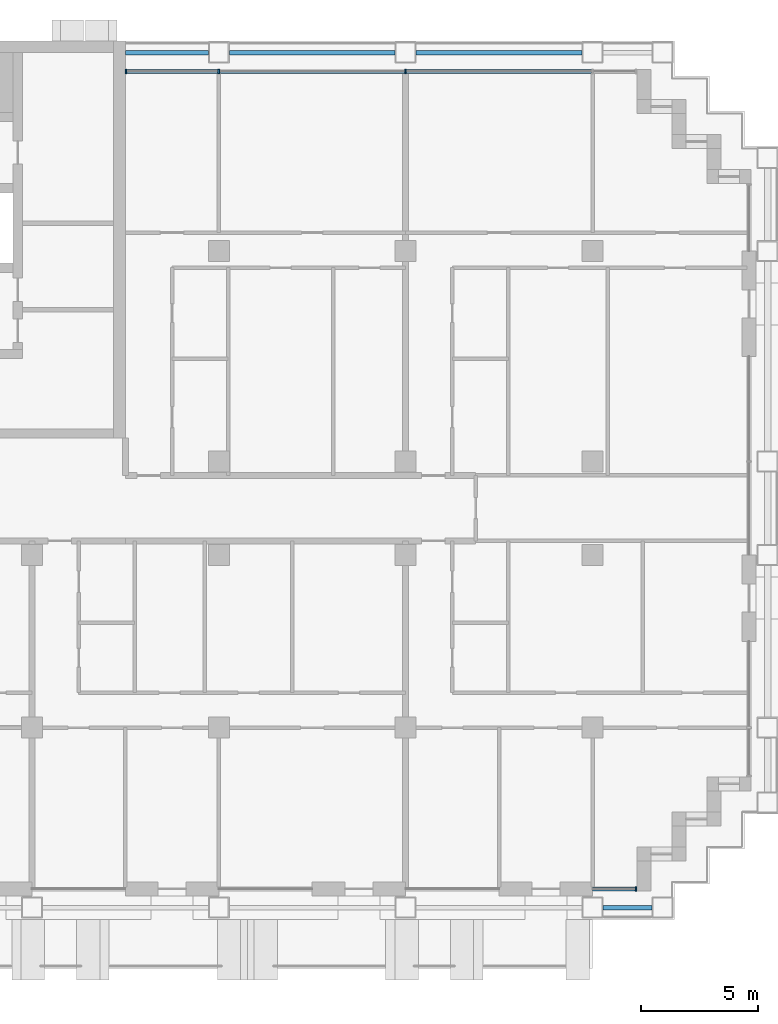
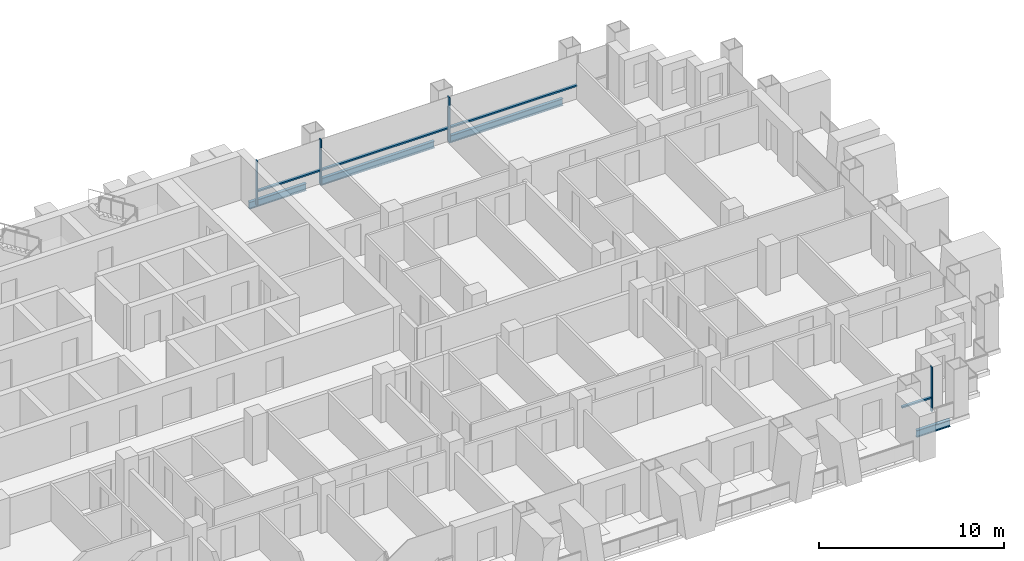
# One storey, part 5 of 18: 8 members, 4 beams, 2 elements without a shape of their own.
"""IFC4 building model written with IfcOpenShell, lengths in metres."""

from ifc_helpers import new_model, si_unit, direction, frame, origin, origin_2d, place, context, subcontext, project, spatial, rectangle, i_section, extrude, material, material_profile, profile_set, type_object, element, aggregate, save


model = new_model("IFC4")

# Units and contexts
model_context = context("Model", 3, precision=1e-05, world=origin(), true_north=direction((0.0, 1.0)))
body_context = subcontext(model_context, "Body", "Model", "MODEL_VIEW")
ifc_project = project(units=[si_unit("LENGTHUNIT", "METRE"), si_unit("AREAUNIT", "SQUARE_METRE"), si_unit("VOLUMEUNIT", "CUBIC_METRE"), si_unit("PLANEANGLEUNIT", "RADIAN"), si_unit("MASSUNIT", "GRAM", prefix="KILO")], contexts=[model_context])

# Site, building, storey
site_placement = place(None, origin())
site = spatial("IfcSite", under=ifc_project, at=site_placement, CompositionType="ELEMENT")
building_placement = place(site_placement, origin())
building = spatial("IfcBuilding", under=site, at=building_placement, Name="Vidyagriha Tower", CompositionType="ELEMENT")
storey_placement = place(building_placement, frame((0.0, 0.0, 80.699951171875)))
storey = spatial("IfcBuildingStorey", under=building, at=storey_placement, Name="L20", CompositionType="ELEMENT", Elevation=80.699951171875)

# Beams
ifc_material_1 = material(Name="Steel ASTM A992 Grade 50", Category="steel")
ifc_material_profile_1 = material_profile(ifc_material_1, i_section(OverallWidth=0.19189453125, OverallDepth=0.46240234375, WebThickness=0.010498046875, FlangeThickness=0.017578125, at=origin_2d()), Name="W18X60")
ifc_profile_set_1 = profile_set([ifc_material_profile_1], Name="Steel ASTM A992 Grade 50")
beam_type = type_object("IfcBeamType", Name="Edge beam W18X60", PredefinedType="SPANDREL", material=ifc_profile_set_1)
beam_1_placement = place(storey_placement, frame((34.449951171875, -17.10009765625, -0.510986328125), z_axis=(1.0, 0.0, 0.0), x_axis=(0.0, 1.0, 0.0)))
element("IfcBeam", 1, at=beam_1_placement, inside=storey, type_object=beam_type, Name="st-beam-L20-S09", PredefinedType="SPANDREL", context=body_context, shape_type="SweptSolid", body=[
    extrude(i_section(OverallWidth=0.19189453125, OverallDepth=0.46240234375, WebThickness=0.010498046875, FlangeThickness=0.017578125, at=origin_2d()), origin(), (0.0, 0.0, 1.0), 2.10009765625),
])
for number, where, z_axis, x_axis, name in (
    (2, (18.449951171875, 19.5, -0.510986328125), (1.0, 0.0, 0.0), (0.0, 1.0, 0.0), "st-beam-L20-NE21"),
    (3, (26.449951171875, 19.5, -0.510986328125), (1.0, 0.0, 0.0), (0.0, 1.0, 0.0), "st-beam-L20-NE22"),
):
    element("IfcBeam", number, at=place(storey_placement, frame(where, z_axis=z_axis, x_axis=x_axis)), inside=storey, type_object=beam_type, Name=name, PredefinedType="SPANDREL", context=body_context, shape_type="SweptSolid", body=[
        extrude(i_section(OverallWidth=0.19189453125, OverallDepth=0.46240234375, WebThickness=0.010498046875, FlangeThickness=0.017578125, at=origin_2d()), origin(), (0.0, 0.0, 1.0), 7.10009765625),
    ])
beam_2_placement = place(storey_placement, frame((14.0, 19.5, -0.510986328125), z_axis=(1.0, 0.0, 0.0), x_axis=(0.0, 1.0, 0.0)))
element("IfcBeam", 4, at=beam_2_placement, inside=storey, type_object=beam_type, Name="st-beam-L20-NC25", PredefinedType="SPANDREL", context=body_context, shape_type="SweptSolid", body=[
    extrude(i_section(OverallWidth=0.19189453125, OverallDepth=0.46240234375, WebThickness=0.010498046875, FlangeThickness=0.017578125, at=origin_2d()), origin(), (0.0, 0.0, 1.0), 3.550048828125),
])

# Curtain wall, members
ifc_material_2 = material(Name="Aluminium and glass curtain wall", Category="aluminium")
curtain_wall_type = type_object("IfcCurtainWallType", Name="Dwelling skin unitised curtain wall", PredefinedType="USERDEFINED", material=ifc_material_2)
curtain_wall_1_placement = place(storey_placement, origin())
curtain_wall_1 = element("IfcCurtainWall", 5, at=curtain_wall_1_placement, inside=storey, type_object=curtain_wall_type, Name="CW1 dwelling skin", ObjectType="UNITISED", PredefinedType="USERDEFINED")
ifc_material_3 = material(Name="Aluminium black anodised", Category="aluminium")
ifc_material_profile_2 = material_profile(ifc_material_3, rectangle(XDim=0.199951171875, YDim=0.070068359375, at=origin_2d()), Name="Mullion 70x200 black aluminium")
ifc_profile_set_2 = profile_set([ifc_material_profile_2], Name="Aluminium black anodised")
member_type_1 = type_object("IfcMemberType", Name="Mullion 70x200 black aluminium", PredefinedType="MULLION", material=ifc_profile_set_2)
member_1_placement = place(storey_placement, frame((26.0, 18.699951171875, 0.0), z_axis=(0.0, 0.0, 1.0), x_axis=(0.0, -1.0, 0.0)))
member_1 = element("IfcMember", 6, at=member_1_placement, type_object=member_type_1, Name="CW1 mullion 3", PredefinedType="MULLION", context=body_context, shape_type="SweptSolid", body=[
    extrude(rectangle(XDim=0.199951171875, YDim=0.070068359375, at=origin_2d()), origin(), (0.0, 0.0, 1.0), 2.920166015625),
])
member_2_placement = place(storey_placement, frame((18.0, 18.699951171875, 0.0), z_axis=(0.0, 0.0, 1.0), x_axis=(0.0, -1.0, 0.0)))
member_2 = element("IfcMember", 7, at=member_2_placement, type_object=member_type_1, Name="CW1 mullion 4", PredefinedType="MULLION", context=body_context, shape_type="SweptSolid", body=[
    extrude(rectangle(XDim=0.199951171875, YDim=0.070068359375, at=origin_2d()), origin(), (0.0, 0.0, 1.0), 2.920166015625),
])
member_3_placement = place(storey_placement, frame((14.034912109375, 18.699951171875, 0.0), z_axis=(0.0, 0.0, 1.0), x_axis=(0.0, -1.0, 0.0)))
member_3 = element("IfcMember", 8, at=member_3_placement, type_object=member_type_1, Name="CW1 mullion 5", PredefinedType="MULLION", context=body_context, shape_type="SweptSolid", body=[
    extrude(rectangle(XDim=0.199951171875, YDim=0.070068359375, at=origin_2d()), origin(), (0.0, 0.0, 1.0), 2.920166015625),
])

# Curtain wall, member
curtain_wall_2_placement = place(storey_placement, origin())
curtain_wall_2 = element("IfcCurtainWall", 9, at=curtain_wall_2_placement, inside=storey, type_object=curtain_wall_type, Name="CW1 dwelling skin", ObjectType="UNITISED", PredefinedType="USERDEFINED")
member_4_placement = place(storey_placement, frame((35.864990234375, -16.300048828125, 0.0), z_axis=(0.0, 0.0, 1.0), x_axis=(0.0, 1.0, 0.0)))
member_4 = element("IfcMember", 10, at=member_4_placement, type_object=member_type_1, Name="CW1 mullion 2", PredefinedType="MULLION", context=body_context, shape_type="SweptSolid", body=[
    extrude(rectangle(XDim=0.199951171875, YDim=0.070068359375, at=origin_2d()), origin(), (0.0, 0.0, 1.0), 2.920166015625),
])

# Member
ifc_material_4 = material(Name="Aluminium black anodised", Category="aluminium")
ifc_material_profile_3 = material_profile(ifc_material_4, rectangle(XDim=0.159912109375, YDim=0.10009765625, at=origin_2d()), Name="Transom 100x160 black aluminium")
ifc_profile_set_3 = profile_set([ifc_material_profile_3], Name="Aluminium black anodised")
member_type_2 = type_object("IfcMemberType", Name="Transom 100x160 black aluminium", PredefinedType="USERDEFINED", material=ifc_profile_set_3)
member_5_placement = place(storey_placement, frame((33.965087890625, 18.699951171875, 0.900146484375), z_axis=(-1.0, 0.0, 0.0), x_axis=(0.0, -1.0, 0.0)))
member_5 = element("IfcMember", 11, at=member_5_placement, type_object=member_type_2, Name="CW1 transom 2.1", ObjectType="TRANSOM", PredefinedType="USERDEFINED", context=body_context, shape_type="SweptSolid", body=[
    extrude(rectangle(XDim=0.159912109375, YDim=0.10009765625, at=origin_2d()), origin(), (0.0, 0.0, 1.0), 7.93017578125),
])

member_6_placement = place(storey_placement, frame((25.965087890625, 18.699951171875, 0.900146484375), z_axis=(-1.0, 0.0, 0.0), x_axis=(0.0, -1.0, 0.0)))
member_6 = element("IfcMember", 12, at=member_6_placement, type_object=member_type_2, Name="CW1 transom 3.1", ObjectType="TRANSOM", PredefinedType="USERDEFINED", context=body_context, shape_type="SweptSolid", body=[
    extrude(rectangle(XDim=0.159912109375, YDim=0.10009765625, at=origin_2d()), origin(), (0.0, 0.0, 1.0), 7.93017578125),
])

member_7_placement = place(storey_placement, frame((17.965087890625, 18.699951171875, 0.900146484375), z_axis=(-1.0, 0.0, 0.0), x_axis=(0.0, -1.0, 0.0)))
member_7 = element("IfcMember", 13, at=member_7_placement, type_object=member_type_2, Name="CW1 transom 4.1", ObjectType="TRANSOM", PredefinedType="USERDEFINED", context=body_context, shape_type="SweptSolid", body=[
    extrude(rectangle(XDim=0.159912109375, YDim=0.10009765625, at=origin_2d()), origin(), (0.0, 0.0, 1.0), 3.89501953125),
])

aggregate(curtain_wall_1, [member_1, member_2, member_3, member_5, member_6, member_7])

member_8_placement = place(storey_placement, frame((34.0, -16.300048828125, 0.900146484375), z_axis=(1.0, 0.0, 0.0), x_axis=(0.0, 1.0, 0.0)))
member_8 = element("IfcMember", 14, at=member_8_placement, type_object=member_type_2, Name="CW1 transom 1.1", ObjectType="TRANSOM", PredefinedType="USERDEFINED", context=body_context, shape_type="SweptSolid", body=[
    extrude(rectangle(XDim=0.159912109375, YDim=0.10009765625, at=origin_2d()), origin(), (0.0, 0.0, 1.0), 1.830078125),
])

aggregate(curtain_wall_2, [member_4, member_8])

save(model, "model.ifc")
